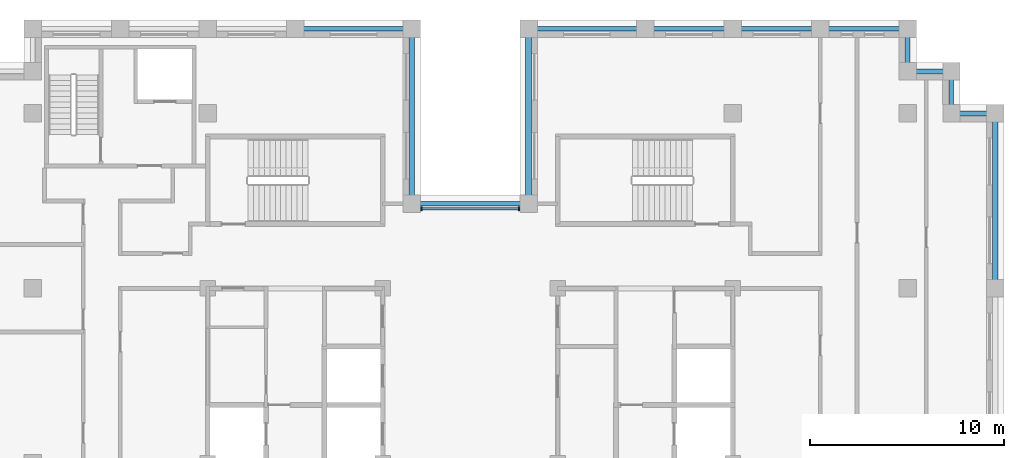
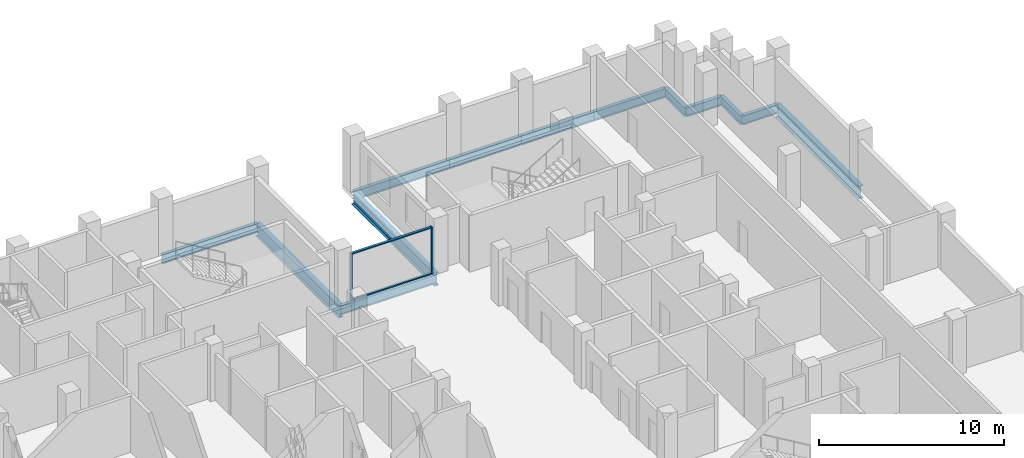
# One storey, part 4 of 13: 13 beams, 4 members, 1 element without a shape of its own.
"""IFC4 building model written with IfcOpenShell, lengths in metres."""

from ifc_helpers import new_model, si_unit, direction, frame, origin, origin_2d, place, context, subcontext, project, spatial, rectangle, i_section, extrude, material, layer, layer_set, material_profile, profile_set, type_object, element, aggregate, save


model = new_model("IFC4")

# Units and contexts
model_context = context("Model", 3, precision=1e-05, world=origin(), true_north=direction((0.0, 1.0)))
body_context = subcontext(model_context, "Body", "Model", "MODEL_VIEW")
ifc_project = project(units=[si_unit("LENGTHUNIT", "METRE"), si_unit("AREAUNIT", "SQUARE_METRE"), si_unit("VOLUMEUNIT", "CUBIC_METRE"), si_unit("PLANEANGLEUNIT", "RADIAN"), si_unit("MASSUNIT", "GRAM", prefix="KILO")], contexts=[model_context])

# Site, building, storey
site_placement = place(None, origin())
site = spatial("IfcSite", under=ifc_project, at=site_placement, CompositionType="ELEMENT")
building_placement = place(site_placement, origin())
building = spatial("IfcBuilding", under=site, at=building_placement, Name="Corbelhall Arena Tower", CompositionType="ELEMENT")
storey_placement = place(building_placement, frame((0.0, 0.0, 266.0)))
storey = spatial("IfcBuildingStorey", under=building, at=storey_placement, Name="L57", CompositionType="ELEMENT", Elevation=266.0)

# Curtain wall, members
ifc_material_1 = material(Name="Aluminium black anodised", Category="aluminium")
ifc_layer = layer(ifc_material_1, 0.199951171875)
ifc_layer_set = layer_set([ifc_layer], Name="EV-CW1 Slot back wall")
curtain_wall_type = type_object("IfcCurtainWallType", Name="EV-CW1 Slot back wall", PredefinedType="NOTDEFINED", material=ifc_layer_set)
curtain_wall_placement = place(storey_placement, origin())
curtain_wall = element("IfcCurtainWall", 1, at=curtain_wall_placement, inside=storey, type_object=curtain_wall_type, Name="Curtain wall CW1", PredefinedType="NOTDEFINED")
ifc_material_profile_1 = material_profile(ifc_material_1, rectangle(XDim=0.199951171875, YDim=0.074951171875, at=origin_2d()))
ifc_profile_set_1 = profile_set([ifc_material_profile_1], Name="Aluminium black anodised")
member_type_1 = type_object("IfcMemberType", Name="EV-CW1-MULLION", PredefinedType="MULLION", material=ifc_profile_set_1)
member_1_placement = place(storey_placement, frame((2.512451171875, 13.10009765625, 0.0), z_axis=(0.0, 0.0, 1.0), x_axis=(0.0, -1.0, 0.0)))
member_1 = element("IfcMember", 2, at=member_1_placement, type_object=member_type_1, Name="CW1 mullion 1", PredefinedType="MULLION", context=body_context, shape_type="SweptSolid", body=[
    extrude(rectangle(XDim=0.199951171875, YDim=0.074951171875, at=origin_2d()), origin(), (0.0, 0.0, 1.0), 3.1201171875),
])
member_2_placement = place(storey_placement, frame((-2.512451171875, 13.10009765625, 0.0), z_axis=(0.0, 0.0, 1.0), x_axis=(0.0, -1.0, 0.0)))
member_2 = element("IfcMember", 3, at=member_2_placement, type_object=member_type_1, Name="CW1 mullion 2", PredefinedType="MULLION", context=body_context, shape_type="SweptSolid", body=[
    extrude(rectangle(XDim=0.199951171875, YDim=0.074951171875, at=origin_2d()), origin(), (0.0, 0.0, 1.0), 3.1201171875),
])
ifc_material_profile_2 = material_profile(ifc_material_1, rectangle(XDim=0.14990234375, YDim=0.074951171875, at=origin_2d()))
ifc_profile_set_2 = profile_set([ifc_material_profile_2], Name="Aluminium black anodised")
member_type_2 = type_object("IfcMemberType", Name="EV-CW1-TRANSOM", PredefinedType="USERDEFINED", material=ifc_profile_set_2)
member_3_placement = place(storey_placement, frame((2.47509765625, 13.10009765625, 0.03759765625), z_axis=(-1.0, 0.0, 0.0), x_axis=(0.0, -1.0, 0.0)))
member_3 = element("IfcMember", 4, at=member_3_placement, type_object=member_type_2, Name="CW1 transom 1.1", ObjectType="transom", PredefinedType="USERDEFINED", context=body_context, shape_type="SweptSolid", body=[
    extrude(rectangle(XDim=0.14990234375, YDim=0.074951171875, at=origin_2d()), origin(), (0.0, 0.0, 1.0), 4.9501953125),
])
member_4_placement = place(storey_placement, frame((2.47509765625, 13.10009765625, 3.08251953125), z_axis=(-1.0, 0.0, 0.0), x_axis=(0.0, -1.0, 0.0)))
member_4 = element("IfcMember", 5, at=member_4_placement, type_object=member_type_2, Name="CW1 transom 1.2", ObjectType="transom", PredefinedType="USERDEFINED", context=body_context, shape_type="SweptSolid", body=[
    extrude(rectangle(XDim=0.14990234375, YDim=0.074951171875, at=origin_2d()), origin(), (0.0, 0.0, 1.0), 4.9501953125),
])
aggregate(curtain_wall, [member_1, member_2, member_3, member_4])

# Beams
ifc_material_2 = material(Name="Steel ASTM A992 Gr50", Category="steel")
ifc_material_profile_3 = material_profile(ifc_material_2, i_section(OverallWidth=0.227783203125, OverallDepth=0.60205078125, WebThickness=0.010498046875, FlangeThickness=0.014892578125, at=origin_2d()))
ifc_profile_set_3 = profile_set([ifc_material_profile_3], Name="Steel ASTM A992 Gr50")
beam_type_1 = type_object("IfcBeamType", Name="ST-SPANDREL-W24x68", PredefinedType="SPANDREL", material=ifc_profile_set_3)
beam_1_placement = place(storey_placement, frame((3.0, 22.35009765625, -0.5810546875), z_axis=(1.0, 0.0, 0.0), x_axis=(0.0, 1.0, 0.0)))
element("IfcBeam", 6, at=beam_1_placement, inside=storey, type_object=beam_type_1, Name="Beam SP 6", PredefinedType="SPANDREL", context=body_context, shape_type="SweptSolid", body=[
    extrude(i_section(OverallWidth=0.227783203125, OverallDepth=0.60205078125, WebThickness=0.010498046875, FlangeThickness=0.014892578125, at=origin_2d()), origin(), (0.0, 0.0, 1.0), 6.0),
])
for number, where, z_axis, x_axis, name in (
    (7, (9.0, 22.35009765625, -0.5810546875), (1.0, 0.0, 0.0), (0.0, 1.0, 0.0), "Beam SP 7"),
    (8, (13.5, 22.35009765625, -0.5810546875), (1.0, 0.0, 0.0), (0.0, 1.0, 0.0), "Beam SP 8"),
    (9, (18.0, 22.35009765625, -0.5810546875), (1.0, 0.0, 0.0), (0.0, 1.0, 0.0), "Beam SP 9"),
):
    element("IfcBeam", number, at=place(storey_placement, frame(where, z_axis=z_axis, x_axis=x_axis)), inside=storey, type_object=beam_type_1, Name=name, PredefinedType="SPANDREL", context=body_context, shape_type="SweptSolid", body=[
        extrude(i_section(OverallWidth=0.227783203125, OverallDepth=0.60205078125, WebThickness=0.010498046875, FlangeThickness=0.014892578125, at=origin_2d()), origin(), (0.0, 0.0, 1.0), 4.5),
    ])
beam_2_placement = place(storey_placement, frame((22.5, 22.35009765625, -0.5810546875), z_axis=(0.0, -1.0, 0.0), x_axis=(1.0, 0.0, 0.0)))
element("IfcBeam", 10, at=beam_2_placement, inside=storey, type_object=beam_type_1, Name="Beam SP 10", PredefinedType="SPANDREL", context=body_context, shape_type="SweptSolid", body=[
    extrude(i_section(OverallWidth=0.227783203125, OverallDepth=0.60205078125, WebThickness=0.010498046875, FlangeThickness=0.014892578125, at=origin_2d()), origin(), (0.0, 0.0, 1.0), 2.175048828125),
])
for number, where, z_axis, x_axis, name in (
    (11, (-9.0, 22.35009765625, -0.5810546875), (1.0, 0.0, 0.0), (0.0, 1.0, 0.0), "Beam SP 12"),
    (12, (-3.0, 13.35009765625, -0.5810546875), (1.0, 0.0, 0.0), (0.0, 1.0, 0.0), "Beam SP 32"),
):
    element("IfcBeam", number, at=place(storey_placement, frame(where, z_axis=z_axis, x_axis=x_axis)), inside=storey, type_object=beam_type_1, Name=name, PredefinedType="SPANDREL", context=body_context, shape_type="SweptSolid", body=[
        extrude(i_section(OverallWidth=0.227783203125, OverallDepth=0.60205078125, WebThickness=0.010498046875, FlangeThickness=0.014892578125, at=origin_2d()), origin(), (0.0, 0.0, 1.0), 6.0),
    ])
beam_3_placement = place(storey_placement, frame((22.5, 20.175048828125, -0.5810546875), z_axis=(1.0, 0.0, 0.0), x_axis=(0.0, 1.0, 0.0)))
element("IfcBeam", 13, at=beam_3_placement, inside=storey, type_object=beam_type_1, Name="Beam SP 35", PredefinedType="SPANDREL", context=body_context, shape_type="SweptSolid", body=[
    extrude(i_section(OverallWidth=0.227783203125, OverallDepth=0.60205078125, WebThickness=0.010498046875, FlangeThickness=0.014892578125, at=origin_2d()), origin(), (0.0, 0.0, 1.0), 2.25),
])
beam_4_placement = place(storey_placement, frame((24.75, 20.175048828125, -0.5810546875), z_axis=(0.0, -1.0, 0.0), x_axis=(1.0, 0.0, 0.0)))
element("IfcBeam", 14, at=beam_4_placement, inside=storey, type_object=beam_type_1, Name="Beam SP 36", PredefinedType="SPANDREL", context=body_context, shape_type="SweptSolid", body=[
    extrude(i_section(OverallWidth=0.227783203125, OverallDepth=0.60205078125, WebThickness=0.010498046875, FlangeThickness=0.014892578125, at=origin_2d()), origin(), (0.0, 0.0, 1.0), 2.175048828125),
])
beam_5_placement = place(storey_placement, frame((24.75, 18.0, -0.5810546875), z_axis=(1.0, 0.0, 0.0), x_axis=(0.0, 1.0, 0.0)))
element("IfcBeam", 15, at=beam_5_placement, inside=storey, type_object=beam_type_1, Name="Beam SP 37", PredefinedType="SPANDREL", context=body_context, shape_type="SweptSolid", body=[
    extrude(i_section(OverallWidth=0.227783203125, OverallDepth=0.60205078125, WebThickness=0.010498046875, FlangeThickness=0.014892578125, at=origin_2d()), origin(), (0.0, 0.0, 1.0), 2.25),
])
ifc_material_profile_4 = material_profile(ifc_material_2, i_section(OverallWidth=0.2919921875, OverallDepth=0.845703125, WebThickness=0.015380859375, FlangeThickness=0.0244140625, at=origin_2d()))
ifc_profile_set_4 = profile_set([ifc_material_profile_4], Name="Steel ASTM A992 Gr50")
beam_type_2 = type_object("IfcBeamType", Name="ST-SPANDREL-W33x141", PredefinedType="SPANDREL", material=ifc_profile_set_4)
for number, where, z_axis, x_axis, name in (
    (16, (27.0, 18.0, -0.702880859375), (0.0, -1.0, 0.0), (1.0, 0.0, 0.0), "Beam SP 3"),
    (17, (-3.0, 22.35009765625, -0.702880859375), (0.0, -1.0, 0.0), (1.0, 0.0, 0.0), "Beam SP 11"),
    (18, (3.0, 13.35009765625, -0.702880859375), (0.0, 1.0, 0.0), (-1.0, 0.0, 0.0), "Beam SP 31"),
):
    element("IfcBeam", number, at=place(storey_placement, frame(where, z_axis=z_axis, x_axis=x_axis)), inside=storey, type_object=beam_type_2, Name=name, PredefinedType="SPANDREL", context=body_context, shape_type="SweptSolid", body=[
        extrude(i_section(OverallWidth=0.2919921875, OverallDepth=0.845703125, WebThickness=0.015380859375, FlangeThickness=0.0244140625, at=origin_2d()), origin(), (0.0, 0.0, 1.0), 9.0),
    ])

save(model, "model.ifc")
